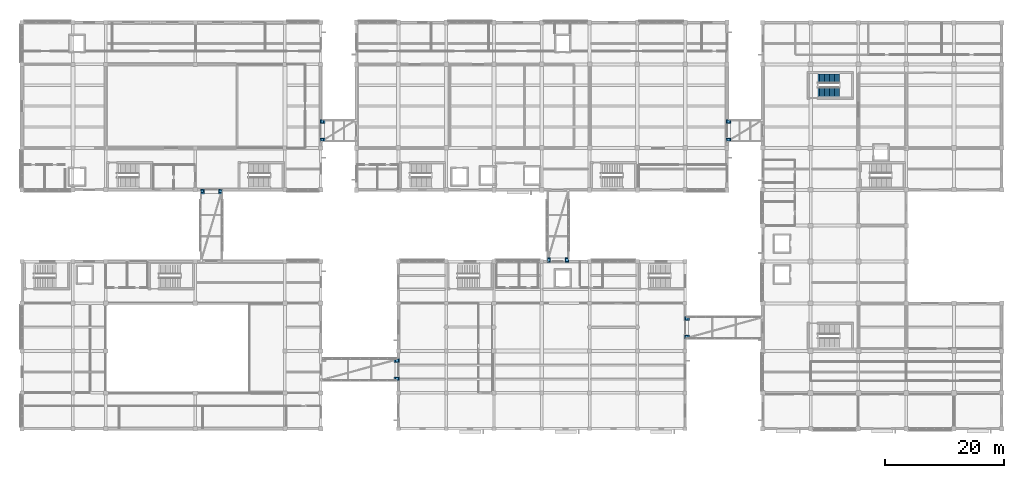
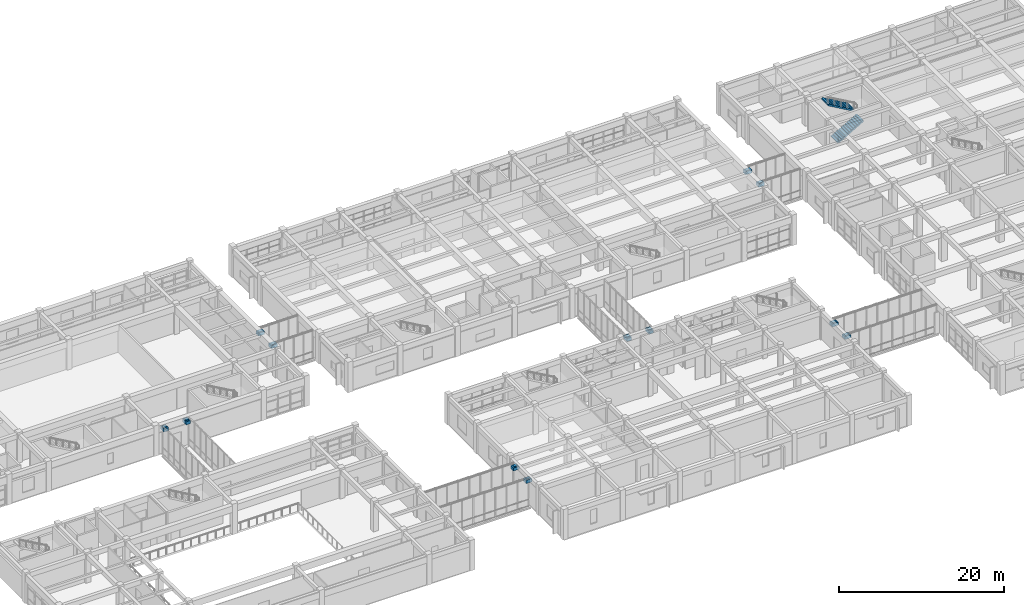
# One storey, part 58 of 70: 24 discrete accessories, 2 stair flights, 1 element without a shape of its own.
"""IFC4 building model written with IfcOpenShell, lengths in metres."""

from ifc_helpers import new_model, si_unit, direction, frame, origin, origin_2d, place, context, subcontext, project, spatial, polyline, rectangle, outline, extrude, material, type_object, element, aggregate, save


model = new_model("IFC4")

# Units and contexts
model_context = context("Model", 3, precision=1e-05, world=origin(), true_north=direction((0.0, 1.0)))
body_context = subcontext(model_context, "Body", "Model", "MODEL_VIEW")
ifc_project = project(units=[si_unit("LENGTHUNIT", "METRE"), si_unit("AREAUNIT", "SQUARE_METRE"), si_unit("VOLUMEUNIT", "CUBIC_METRE"), si_unit("PLANEANGLEUNIT", "RADIAN"), si_unit("MASSUNIT", "GRAM", prefix="KILO")], contexts=[model_context])

# Site, building, storey
site_placement = place(None, origin())
site = spatial("IfcSite", under=ifc_project, at=site_placement, CompositionType="ELEMENT")
building_placement = place(site_placement, origin())
building = spatial("IfcBuilding", under=site, at=building_placement, Name="Naurynzar Civic Courthouse", CompositionType="ELEMENT")
storey_placement = place(building_placement, frame((0.0, 0.0, 5.39990234375)))
storey = spatial("IfcBuildingStorey", under=building, at=storey_placement, Name="L02", CompositionType="ELEMENT", Elevation=5.39990234375)

# Stair, stair flights
ifc_material_1 = material(Name="Concrete C35/45", Category="concrete")
stair_type = type_object("IfcStairType", Name="STAIR-CORE-1600", PredefinedType="TWO_STRAIGHT_RUN_STAIR", material=ifc_material_1)
stair_placement = place(storey_placement, origin())
stair = element("IfcStair", 1, at=stair_placement, inside=storey, type_object=stair_type, Name="Enclosed escape stair ST-V5B L02", PredefinedType="TWO_STRAIGHT_RUN_STAIR")
ifc_material_2 = material(Name="Concrete C35/45", Category="concrete")
stair_flight_type = type_object("IfcStairFlightType", Name="FLIGHT-RC-1600", PredefinedType="STRAIGHT", material=ifc_material_2)
stair_flight_1_placement = place(storey_placement, frame((139.199951171875, 60.3798828125, 0.0), z_axis=(0.0, 0.0, 1.0), x_axis=(1.0, 0.0, 0.0)))
stair_flight_1 = element("IfcStairFlight", 2, at=stair_flight_1_placement, type_object=stair_flight_type, Name="ST-V5B-L02 flight 1", NumberOfRisers=14, NumberOfTreads=13, PredefinedType="STRAIGHT", RiserHeight=0.160714286, TreadLength=0.28, context=body_context, shape_type="SweptSolid", body=[
    extrude(outline(polyline([(0.0, 0.0), (0.0, 0.16064453125), (0.280029296875, 0.16064453125), (0.280029296875, 0.321533203125), (0.56005859375, 0.321533203125), (0.56005859375, 0.482177734375), (0.840087890625, 0.482177734375), (0.840087890625, 0.642822265625), (1.1201171875, 0.642822265625), (1.1201171875, 0.803466796875), (1.39990234375, 0.803466796875), (1.39990234375, 0.96435546875), (1.679931640625, 0.96435546875), (1.679931640625, 1.125), (1.9599609375, 1.125), (1.9599609375, 1.28564453125), (2.239990234375, 1.28564453125), (2.239990234375, 1.446533203125), (2.52001953125, 1.446533203125), (2.52001953125, 1.607177734375), (2.800048828125, 1.607177734375), (2.800048828125, 1.767822265625), (3.080078125, 1.767822265625), (3.080078125, 1.928466796875), (3.360107421875, 1.928466796875), (3.360107421875, 2.08935546875), (3.639892578125, 2.08935546875), (3.639892578125, 2.25), (3.639892578125, 1.8818359375), (0.361328125, 0.0), (0.0, 0.0)])), frame((0.0, 0.800048828125, 0.0), z_axis=(0.0, -1.0, 0.0), x_axis=(1.0, 0.0, 0.0)), (0.0, 0.0, 1.0), 1.60009765625),
])
stair_flight_2_placement = place(storey_placement, frame((142.840087890625, 62.6201171875, 2.25), z_axis=(0.0, 0.0, 1.0), x_axis=(-1.0, 0.0, 0.0)))
stair_flight_2 = element("IfcStairFlight", 3, at=stair_flight_2_placement, type_object=stair_flight_type, Name="ST-V5B-L02 flight 2", NumberOfRisers=14, NumberOfTreads=13, PredefinedType="STRAIGHT", RiserHeight=0.160714286, TreadLength=0.28, context=body_context, shape_type="SweptSolid", body=[
    extrude(outline(polyline([(0.0, 0.0), (0.0, 0.16064453125), (0.280029296875, 0.16064453125), (0.280029296875, 0.321533203125), (0.56005859375, 0.321533203125), (0.56005859375, 0.482177734375), (0.840087890625, 0.482177734375), (0.840087890625, 0.642822265625), (1.1201171875, 0.642822265625), (1.1201171875, 0.803466796875), (1.39990234375, 0.803466796875), (1.39990234375, 0.96435546875), (1.679931640625, 0.96435546875), (1.679931640625, 1.125), (1.9599609375, 1.125), (1.9599609375, 1.28564453125), (2.239990234375, 1.28564453125), (2.239990234375, 1.446533203125), (2.52001953125, 1.446533203125), (2.52001953125, 1.607177734375), (2.800048828125, 1.607177734375), (2.800048828125, 1.767822265625), (3.080078125, 1.767822265625), (3.080078125, 1.928466796875), (3.360107421875, 1.928466796875), (3.360107421875, 2.08935546875), (3.639892578125, 2.08935546875), (3.639892578125, 2.25), (3.639892578125, 1.8818359375), (0.361328125, 0.0), (0.0, 0.0)])), frame((0.0, 0.800048828125, 0.0), z_axis=(0.0, -1.0, 0.0), x_axis=(1.0, 0.0, 0.0)), (0.0, 0.0, 1.0), 1.60009765625),
])
aggregate(stair, [stair_flight_1, stair_flight_2])

# Discrete accessories
ifc_material_3 = material(Name="Steel S355", Category="steel")
discrete_accessory_type_1 = type_object("IfcDiscreteAccessoryType", Name="BRG-PTFE-450", PredefinedType="SHOE", material=ifc_material_3)
for number, where, z_axis, x_axis, name in (
    (4, (36.169921875, 43.75, 3.85009765625), (0.0, 0.0, 1.0), (1.0, 0.0, 0.0), "BR-W1 unguided PTFE sliding bearing L03.1"),
    (5, (39.22998046875, 43.75, 3.85009765625), (0.0, 0.0, 1.0), (1.0, 0.0, 0.0), "BR-W1 unguided PTFE sliding bearing L03.2"),
    (6, (56.25, 52.3701171875, 3.85009765625), (0.0, 0.0, 1.0), (1.0, 0.0, 0.0), "BR-N1 unguided PTFE sliding bearing L03.1"),
    (7, (56.25, 55.429931640625, 3.85009765625), (0.0, 0.0, 1.0), (1.0, 0.0, 0.0), "BR-N1 unguided PTFE sliding bearing L03.2"),
    (8, (94.169921875, 32.25, 3.85009765625), (0.0, 0.0, 1.0), (1.0, 0.0, 0.0), "BR-C1 unguided PTFE sliding bearing L03.1"),
    (9, (97.22998046875, 32.25, 3.85009765625), (0.0, 0.0, 1.0), (1.0, 0.0, 0.0), "BR-C1 unguided PTFE sliding bearing L03.2"),
    (10, (68.75, 12.3701171875, 3.85009765625), (0.0, 0.0, 1.0), (1.0, 0.0, 0.0), "BR-S1 unguided PTFE sliding bearing L03.1"),
    (11, (68.75, 15.429931640625, 3.85009765625), (0.0, 0.0, 1.0), (1.0, 0.0, 0.0), "BR-S1 unguided PTFE sliding bearing L03.2"),
    (12, (124.25, 52.3701171875, 3.85009765625), (0.0, 0.0, 1.0), (1.0, 0.0, 0.0), "BR-E1 unguided PTFE sliding bearing L03.1"),
    (13, (124.25, 55.429931640625, 3.85009765625), (0.0, 0.0, 1.0), (1.0, 0.0, 0.0), "BR-E1 unguided PTFE sliding bearing L03.2"),
    (14, (117.25, 19.3701171875, 3.85009765625), (0.0, 0.0, 1.0), (1.0, 0.0, 0.0), "BR-E2 unguided PTFE sliding bearing L03.1"),
    (15, (117.25, 22.429931640625, 3.85009765625), (0.0, 0.0, 1.0), (1.0, 0.0, 0.0), "BR-E2 unguided PTFE sliding bearing L03.2"),
):
    element("IfcDiscreteAccessory", number, at=place(storey_placement, frame(where, z_axis=z_axis, x_axis=x_axis)), inside=storey, type_object=discrete_accessory_type_1, Name=name, PredefinedType="SHOE", context=body_context, shape_type="SweptSolid", body=[
        extrude(rectangle(XDim=0.449951171875, YDim=0.449951171875, at=origin_2d()), origin(), (0.0, 0.0, 1.0), 0.080078125),
    ])
ifc_material_4 = material(Name="Concrete C40/50", Category="concrete")
discrete_accessory_type_2 = type_object("IfcDiscreteAccessoryType", Name="CORB-RC-850", PredefinedType="BRACKET", material=ifc_material_4)
for number, where, z_axis, x_axis, name in (
    (16, (36.169921875, 43.72509765625, 3.39990234375), (0.0, 0.0, 1.0), (1.0, 0.0, 0.0), "BR-W1 850mm RC seismic bridge corbel seat L03.1"),
    (17, (39.22998046875, 43.72509765625, 3.39990234375), (0.0, 0.0, 1.0), (1.0, 0.0, 0.0), "BR-W1 850mm RC seismic bridge corbel seat L03.2"),
):
    element("IfcDiscreteAccessory", number, at=place(storey_placement, frame(where, z_axis=z_axis, x_axis=x_axis)), inside=storey, type_object=discrete_accessory_type_2, Name=name, PredefinedType="BRACKET", context=body_context, shape_type="SweptSolid", body=[
        extrude(rectangle(XDim=0.64990234375, YDim=0.85009765625, at=origin_2d()), origin(), (0.0, 0.0, 1.0), 0.449951171875),
    ])
for number, where, z_axis, x_axis, name in (
    (18, (56.27490234375, 52.3701171875, 3.39990234375), (0.0, 0.0, 1.0), (1.0, 0.0, 0.0), "BR-N1 850mm RC seismic bridge corbel seat L03.1"),
    (19, (56.27490234375, 55.429931640625, 3.39990234375), (0.0, 0.0, 1.0), (1.0, 0.0, 0.0), "BR-N1 850mm RC seismic bridge corbel seat L03.2"),
):
    element("IfcDiscreteAccessory", number, at=place(storey_placement, frame(where, z_axis=z_axis, x_axis=x_axis)), inside=storey, type_object=discrete_accessory_type_2, Name=name, PredefinedType="BRACKET", context=body_context, shape_type="SweptSolid", body=[
        extrude(rectangle(XDim=0.85009765625, YDim=0.64990234375, at=origin_2d()), origin(), (0.0, 0.0, 1.0), 0.449951171875),
    ])
for number, where, z_axis, x_axis, name in (
    (20, (94.169921875, 32.27490234375, 3.39990234375), (0.0, 0.0, 1.0), (1.0, 0.0, 0.0), "BR-C1 850mm RC seismic bridge corbel seat L03.1"),
    (21, (97.22998046875, 32.27490234375, 3.39990234375), (0.0, 0.0, 1.0), (1.0, 0.0, 0.0), "BR-C1 850mm RC seismic bridge corbel seat L03.2"),
):
    element("IfcDiscreteAccessory", number, at=place(storey_placement, frame(where, z_axis=z_axis, x_axis=x_axis)), inside=storey, type_object=discrete_accessory_type_2, Name=name, PredefinedType="BRACKET", context=body_context, shape_type="SweptSolid", body=[
        extrude(rectangle(XDim=0.64990234375, YDim=0.85009765625, at=origin_2d()), origin(), (0.0, 0.0, 1.0), 0.449951171875),
    ])
for number, where, z_axis, x_axis, name in (
    (22, (68.72509765625, 12.3701171875, 3.39990234375), (0.0, 0.0, 1.0), (1.0, 0.0, 0.0), "BR-S1 850mm RC seismic bridge corbel seat L03.1"),
    (23, (68.72509765625, 15.429931640625, 3.39990234375), (0.0, 0.0, 1.0), (1.0, 0.0, 0.0), "BR-S1 850mm RC seismic bridge corbel seat L03.2"),
    (24, (124.27490234375, 52.3701171875, 3.39990234375), (0.0, 0.0, 1.0), (1.0, 0.0, 0.0), "BR-E1 850mm RC seismic bridge corbel seat L03.1"),
    (25, (124.27490234375, 55.429931640625, 3.39990234375), (0.0, 0.0, 1.0), (1.0, 0.0, 0.0), "BR-E1 850mm RC seismic bridge corbel seat L03.2"),
    (26, (117.27490234375, 19.3701171875, 3.39990234375), (0.0, 0.0, 1.0), (1.0, 0.0, 0.0), "BR-E2 850mm RC seismic bridge corbel seat L03.1"),
    (27, (117.27490234375, 22.429931640625, 3.39990234375), (0.0, 0.0, 1.0), (1.0, 0.0, 0.0), "BR-E2 850mm RC seismic bridge corbel seat L03.2"),
):
    element("IfcDiscreteAccessory", number, at=place(storey_placement, frame(where, z_axis=z_axis, x_axis=x_axis)), inside=storey, type_object=discrete_accessory_type_2, Name=name, PredefinedType="BRACKET", context=body_context, shape_type="SweptSolid", body=[
        extrude(rectangle(XDim=0.85009765625, YDim=0.64990234375, at=origin_2d()), origin(), (0.0, 0.0, 1.0), 0.449951171875),
    ])

save(model, "model.ifc")
